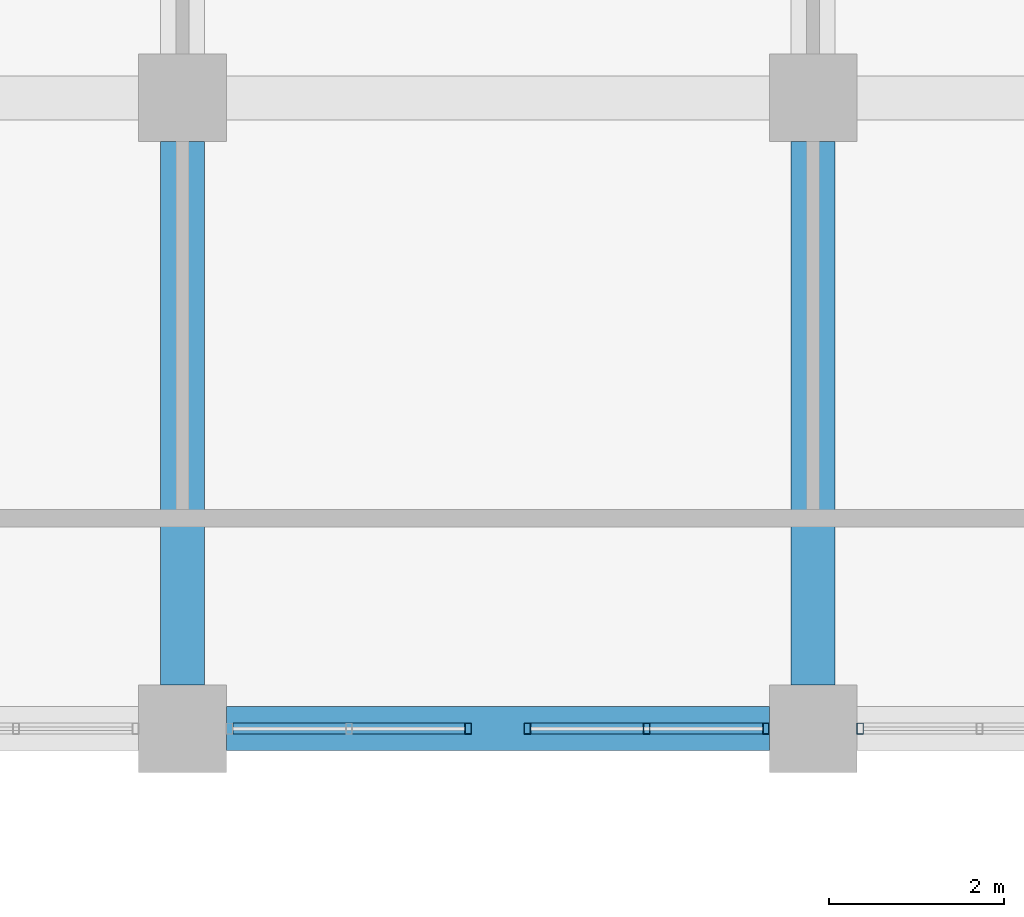
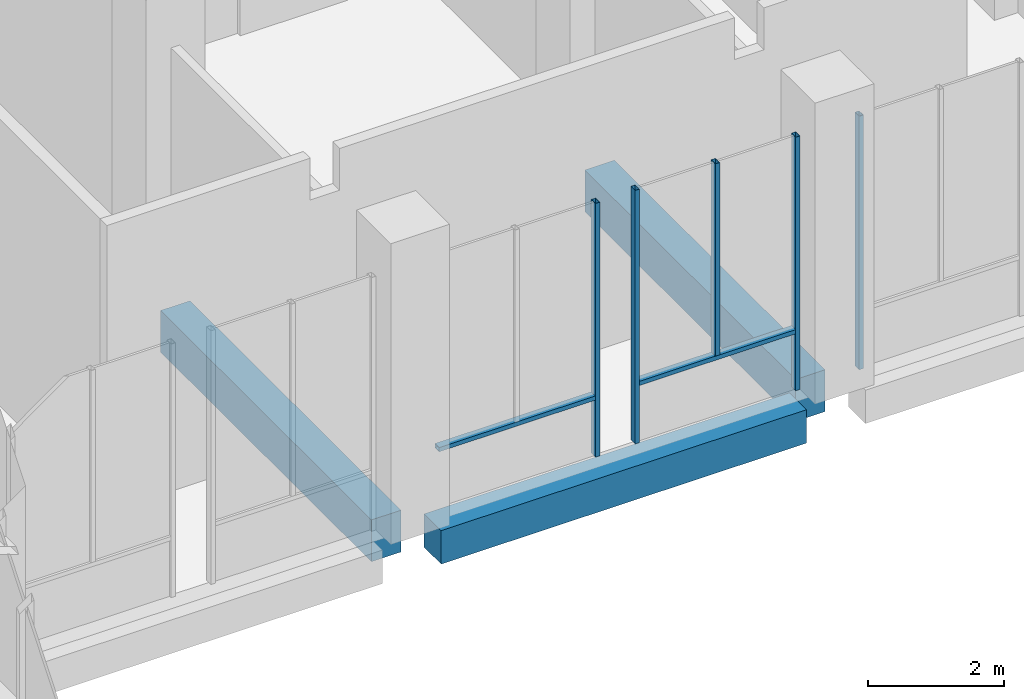
# One storey, part 20 of 83: 7 members, 3 beams, 3 elements without a shape of their own.
"""IFC4 building model written with IfcOpenShell, lengths in metres."""

from ifc_helpers import new_model, si_unit, direction, frame, origin, origin_2d, place, context, subcontext, project, spatial, rectangle, hollow_rectangle, extrude, material, material_profile, profile_set, type_object, element, aggregate, save


model = new_model("IFC4")

# Units and contexts
model_context = context("Model", 3, precision=1e-05, world=origin(), true_north=direction((0.0, 1.0)))
body_context = subcontext(model_context, "Body", "Model", "MODEL_VIEW")
ifc_project = project(units=[si_unit("LENGTHUNIT", "METRE"), si_unit("AREAUNIT", "SQUARE_METRE"), si_unit("VOLUMEUNIT", "CUBIC_METRE"), si_unit("PLANEANGLEUNIT", "RADIAN"), si_unit("MASSUNIT", "GRAM", prefix="KILO")], contexts=[model_context])

# Site, building, storey
site_placement = place(None, origin())
site = spatial("IfcSite", under=ifc_project, at=site_placement, CompositionType="ELEMENT")
building_placement = place(site_placement, origin())
building = spatial("IfcBuilding", under=site, at=building_placement, Name="Silangan Lancet Faculty of Sciences", CompositionType="ELEMENT")
storey_placement = place(building_placement, frame((0.0, 0.0, 11.39990234375)))
storey = spatial("IfcBuildingStorey", under=building, at=storey_placement, Name="L02", CompositionType="ELEMENT", Elevation=11.39990234375)

# Beams
ifc_material_1 = material(Name="Concrete C40/50", Category="concrete")
ifc_material_profile_1 = material_profile(ifc_material_1, rectangle(XDim=0.5, YDim=0.60009765625, at=origin_2d()), Name="RC 500x600")
ifc_profile_set_1 = profile_set([ifc_material_profile_1], Name="Concrete C40/50")
beam_type_1 = type_object("IfcBeamType", Name="BEAM RC 500x600", PredefinedType="BEAM", material=ifc_profile_set_1)
beam_placement = place(storey_placement, frame((7.699951171875, 36.0, -0.5498046875), z_axis=(1.0, 0.0, 0.0), x_axis=(0.0, 1.0, 0.0)))
element("IfcBeam", 1, at=beam_placement, inside=storey, type_object=beam_type_1, Name="BM-L02-2F-3F", PredefinedType="BEAM", context=body_context, shape_type="SweptSolid", body=[
    extrude(rectangle(XDim=0.5, YDim=0.60009765625, at=origin_2d()), origin(), (0.0, 0.0, 1.0), 6.199951171875),
])
ifc_material_2 = material(Name="Concrete C40/50", Category="concrete")
ifc_material_profile_2 = material_profile(ifc_material_2, rectangle(XDim=0.5, YDim=0.75, at=origin_2d()), Name="RC 500x750")
ifc_profile_set_2 = profile_set([ifc_material_profile_2], Name="Concrete C40/50")
beam_type_2 = type_object("IfcBeamType", Name="BEAM RC 500x750", PredefinedType="BEAM", material=ifc_profile_set_2)
for number, where, z_axis, x_axis, name in (
    (2, (7.199951171875, 36.5, -0.625), (0.0, 1.0, 0.0), (-1.0, 0.0, 0.0), "BM-L02-2F-2G"),
    (3, (14.39990234375, 36.5, -0.625), (0.0, 1.0, 0.0), (-1.0, 0.0, 0.0), "BM-L02-3F-3G"),
):
    element("IfcBeam", number, at=place(storey_placement, frame(where, z_axis=z_axis, x_axis=x_axis)), inside=storey, type_object=beam_type_2, Name=name, PredefinedType="BEAM", context=body_context, shape_type="SweptSolid", body=[
        extrude(rectangle(XDim=0.5, YDim=0.75, at=origin_2d()), origin(), (0.0, 0.0, 1.0), 6.199951171875),
    ])

# Curtain wall, member
ifc_material_3 = material(Name="Aluminium framed curtain wall with insulated glass", Category="aluminium")
curtain_wall_type = type_object("IfcCurtainWallType", Name="CW2 Atrium fire-resisting screen", PredefinedType="NOTDEFINED", material=ifc_material_3)
curtain_wall_1_placement = place(storey_placement, origin())
curtain_wall_1 = element("IfcCurtainWall", 4, at=curtain_wall_1_placement, inside=storey, type_object=curtain_wall_type, Name="CW2 Atrium north L02 bay 3", PredefinedType="NOTDEFINED")
ifc_material_4 = material(Name="Steel S355J2H", Category="steel")
ifc_material_profile_3 = material_profile(ifc_material_4, hollow_rectangle(XDim=0.074951171875, YDim=0.125, WallThickness=0.0048828125, at=origin_2d()), Name="ST BOX 75x125x5")
ifc_profile_set_3 = profile_set([ifc_material_profile_3], Name="Steel S355J2H")
member_type_1 = type_object("IfcMemberType", Name="CM2 Mullion 75x125", PredefinedType="MULLION", material=ifc_profile_set_3)
member_1_placement = place(storey_placement, frame((10.46240234375, 36.0, 0.0), z_axis=(0.0, 0.0, 1.0), x_axis=(1.0, 0.0, 0.0)))
member_1 = element("IfcMember", 5, at=member_1_placement, type_object=member_type_1, Name="CW2 Atrium north L02 bay 3 mullion 2", PredefinedType="MULLION", context=body_context, shape_type="SweptSolid", body=[
    extrude(hollow_rectangle(XDim=0.074951171875, YDim=0.125, WallThickness=0.0048828125, at=origin_2d()), origin(), (0.0, 0.0, 1.0), 4.550048828125),
])

# Curtain wall, members
curtain_wall_2_placement = place(storey_placement, origin())
curtain_wall_2 = element("IfcCurtainWall", 6, at=curtain_wall_2_placement, inside=storey, type_object=curtain_wall_type, Name="CW2 Atrium north L02 bay 4", PredefinedType="NOTDEFINED")
member_2_placement = place(storey_placement, frame((11.137451171875, 36.0, 0.0), z_axis=(0.0, 0.0, 1.0), x_axis=(1.0, 0.0, 0.0)))
member_2 = element("IfcMember", 7, at=member_2_placement, type_object=member_type_1, Name="CW2 Atrium north L02 bay 4 mullion 1", PredefinedType="MULLION", context=body_context, shape_type="SweptSolid", body=[
    extrude(hollow_rectangle(XDim=0.074951171875, YDim=0.125, WallThickness=0.0048828125, at=origin_2d()), origin(), (0.0, 0.0, 1.0), 4.550048828125),
])
member_3_placement = place(storey_placement, frame((13.862548828125, 36.0, 0.0), z_axis=(0.0, 0.0, 1.0), x_axis=(1.0, 0.0, 0.0)))
member_3 = element("IfcMember", 8, at=member_3_placement, type_object=member_type_1, Name="CW2 Atrium north L02 bay 4 mullion 2", PredefinedType="MULLION", context=body_context, shape_type="SweptSolid", body=[
    extrude(hollow_rectangle(XDim=0.074951171875, YDim=0.125, WallThickness=0.0048828125, at=origin_2d()), origin(), (0.0, 0.0, 1.0), 4.550048828125),
])
member_4_placement = place(storey_placement, frame((12.5, 36.0, 1.10009765625), z_axis=(0.0, 0.0, 1.0), x_axis=(1.0, 0.0, 0.0)))
member_4 = element("IfcMember", 9, at=member_4_placement, type_object=member_type_1, Name="CW2 Atrium north L02 bay 4 mullion 3", PredefinedType="MULLION", context=body_context, shape_type="SweptSolid", body=[
    extrude(hollow_rectangle(XDim=0.074951171875, YDim=0.125, WallThickness=0.0048828125, at=origin_2d()), origin(), (0.0, 0.0, 1.0), 3.449951171875),
])

# Curtain wall, member
curtain_wall_3_placement = place(storey_placement, origin())
curtain_wall_3 = element("IfcCurtainWall", 10, at=curtain_wall_3_placement, inside=storey, type_object=curtain_wall_type, Name="CW2 Atrium north L02 bay 5", PredefinedType="NOTDEFINED")
member_5_placement = place(storey_placement, frame((14.9375, 36.0, 0.0), z_axis=(0.0, 0.0, 1.0), x_axis=(1.0, 0.0, 0.0)))
member_5 = element("IfcMember", 11, at=member_5_placement, type_object=member_type_1, Name="CW2 Atrium north L02 bay 5 mullion 1", PredefinedType="MULLION", context=body_context, shape_type="SweptSolid", body=[
    extrude(hollow_rectangle(XDim=0.074951171875, YDim=0.125, WallThickness=0.0048828125, at=origin_2d()), origin(), (0.0, 0.0, 1.0), 4.550048828125),
])
aggregate(curtain_wall_3, [member_5])

# Member
ifc_material_5 = material(Name="Steel S355J2H", Category="steel")
ifc_material_profile_4 = material_profile(ifc_material_5, hollow_rectangle(XDim=0.125, YDim=0.074951171875, WallThickness=0.0048828125, at=origin_2d()), Name="ST BOX 125x75x5")
ifc_profile_set_4 = profile_set([ifc_material_profile_4], Name="Steel S355J2H")
member_type_2 = type_object("IfcMemberType", Name="CT2 Transom 125x75", PredefinedType="USERDEFINED", material=ifc_profile_set_4)
member_6_placement = place(storey_placement, frame((7.77490234375, 36.0, 1.0625), z_axis=(1.0, 0.0, 0.0), x_axis=(0.0, 1.0, 0.0)))
member_6 = element("IfcMember", 12, at=member_6_placement, type_object=member_type_2, Name="CW2 Atrium north L02 bay 3 transom 1", ObjectType="TRANSOM", PredefinedType="USERDEFINED", context=body_context, shape_type="SweptSolid", body=[
    extrude(hollow_rectangle(XDim=0.125, YDim=0.074951171875, WallThickness=0.0048828125, at=origin_2d()), origin(), (0.0, 0.0, 1.0), 2.650146484375),
])

aggregate(curtain_wall_1, [member_1, member_6])

member_7_placement = place(storey_placement, frame((11.175048828125, 36.0, 1.0625), z_axis=(1.0, 0.0, 0.0), x_axis=(0.0, 1.0, 0.0)))
member_7 = element("IfcMember", 13, at=member_7_placement, type_object=member_type_2, Name="CW2 Atrium north L02 bay 4 transom 1", ObjectType="TRANSOM", PredefinedType="USERDEFINED", context=body_context, shape_type="SweptSolid", body=[
    extrude(hollow_rectangle(XDim=0.125, YDim=0.074951171875, WallThickness=0.0048828125, at=origin_2d()), origin(), (0.0, 0.0, 1.0), 2.64990234375),
])

aggregate(curtain_wall_2, [member_2, member_3, member_4, member_7])

save(model, "model.ifc")
